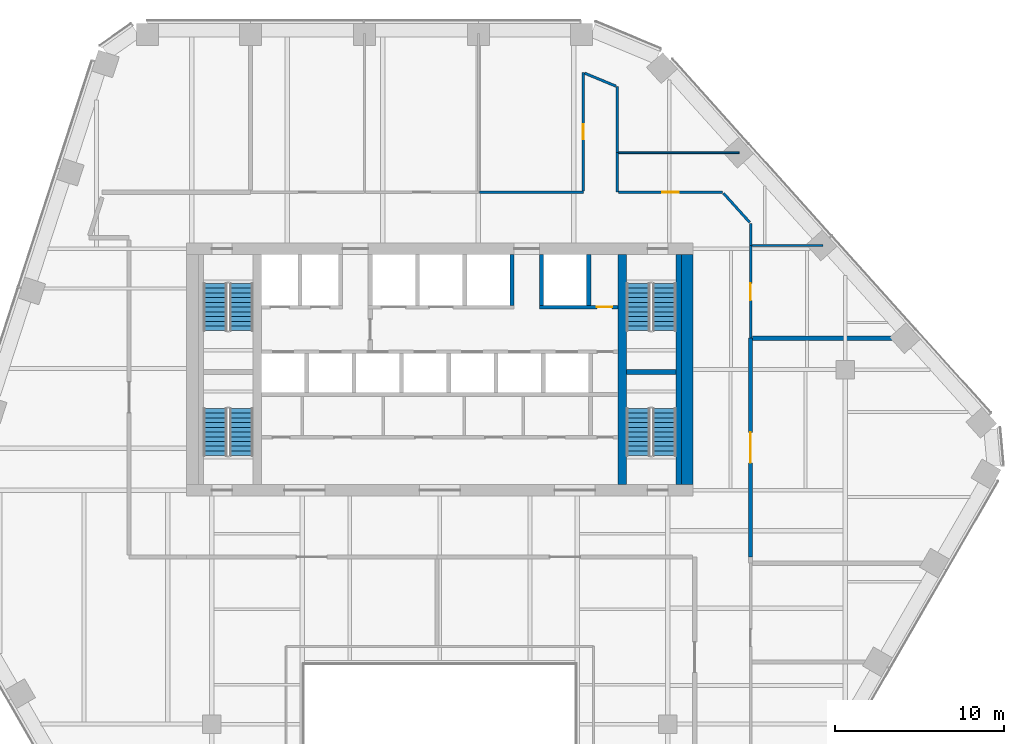
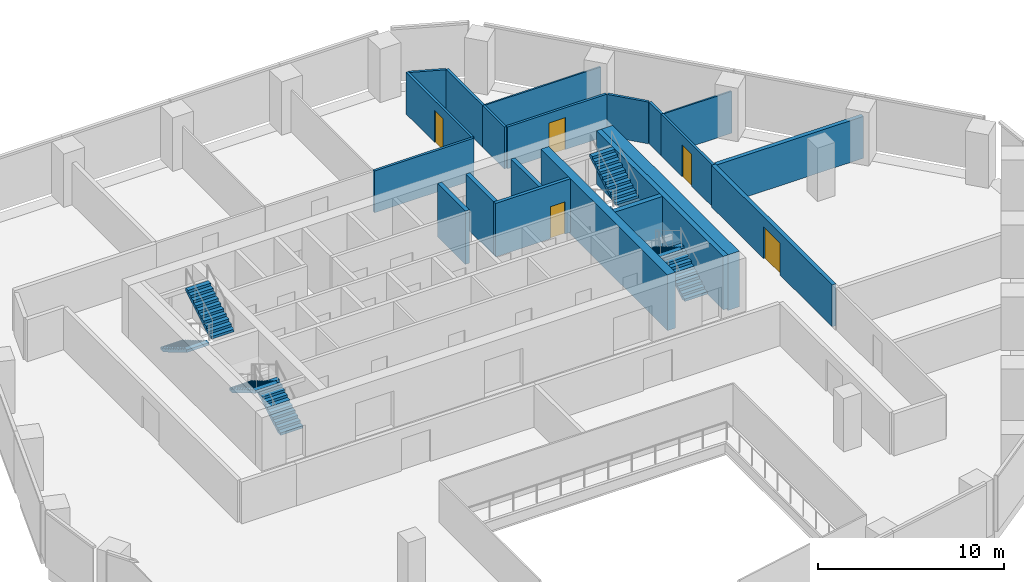
# One storey, part 13 of 16: 21 walls, 8 stair flights, 5 doors, 5 openings, 4 elements without a shape of their own.
"""IFC4 building model written with IfcOpenShell, lengths in metres."""

from ifc_helpers import new_model, si_unit, direction, frame, frame_2d, origin, place, context, subcontext, project, spatial, polyline, rectangle, outline, extrude, material, layer, layer_set, type_object, element, fill, aggregate, save


model = new_model("IFC4")

# Units and contexts
model_context = context("Model", 3, precision=1e-05, world=origin(), true_north=direction((0.0, 1.0)))
body_context = subcontext(model_context, "Body", "Model", "MODEL_VIEW")
ifc_project = project(units=[si_unit("LENGTHUNIT", "METRE"), si_unit("AREAUNIT", "SQUARE_METRE"), si_unit("VOLUMEUNIT", "CUBIC_METRE"), si_unit("PLANEANGLEUNIT", "RADIAN"), si_unit("MASSUNIT", "GRAM", prefix="KILO")], contexts=[model_context])

# Site, building, storey
site_placement = place(None, origin())
site = spatial("IfcSite", under=ifc_project, at=site_placement, CompositionType="ELEMENT")
building_placement = place(site_placement, origin())
building = spatial("IfcBuilding", under=site, at=building_placement, Name="Isthmus Gate Tower", CompositionType="ELEMENT")
storey_placement = place(building_placement, frame((0.0, 0.0, 196.35009765625)))
storey = spatial("IfcBuildingStorey", under=building, at=storey_placement, Name="L49", CompositionType="ELEMENT", Elevation=196.35009765625)

# Wall, opening, door
ifc_material_1 = material(Name="Double-leaf acoustic stud wall, fire-rated", Category="gypsum")
ifc_layer_1 = layer(ifc_material_1, 0.25)
ifc_layer_set_1 = layer_set([ifc_layer_1], Name="ACOUSTIC WALL 250 60 MIN")
wall_type_1 = type_object("IfcWallType", Name="ACOUSTIC WALL 250 60 MIN", PredefinedType="PARTITIONING", material=ifc_layer_set_1)
wall_1_placement = place(storey_placement, frame((18.39990234375, 9.35693359375, 0.0), z_axis=(0.0, 0.0, 1.0), x_axis=(0.0, -1.0, 0.0)))
wall_1 = element("IfcWall", 1, at=wall_1_placement, inside=storey, type_object=wall_type_1, Name="L49 Acoustic Wall 250 60 Min", PredefinedType="PARTITIONING", context=body_context, shape_type="SweptSolid", body=[
    extrude(rectangle(XDim=12.95703125, YDim=0.25, at=frame_2d((6.478515625, 0.0))), origin(), (0.0, 0.0, 1.0), 2.7412109375),
])
opening_1_placement = place(wall_1_placement, frame((5.57861328125, 0.0, 0.0)))
opening_1 = element("IfcOpeningElement", 2, at=opening_1_placement, cuts=wall_1, Name="Opening DT-T4C-08", PredefinedType="OPENING", context=body_context, shape_type="SweptSolid", body=[
    extrude(rectangle(XDim=1.800048828125, YDim=2.10009765625, at=frame_2d((0.89990234375, 1.050048828125))), frame((0.0, 0.135009765625, 0.0), z_axis=(0.0, -1.0, 0.0), x_axis=(1.0, 0.0, 0.0)), (0.0, 0.0, 1.0), 0.27001953125),
])
ifc_material_2 = material(Name="Solid core timber door leaf, fire-rated", Category="wood")
door_type_1 = type_object("IfcDoorType", Name="FIRE DOOR ACOUSTIC ROOM 1800 X 2100 60 MIN", OperationType="DOUBLE_DOOR_DOUBLE_SWING", PredefinedType="DOOR", material=ifc_material_2)
door_1_placement = place(opening_1_placement, origin())
door_1 = element("IfcDoor", 3, at=door_1_placement, inside=storey, type_object=door_type_1, Name="L49 room door", OperationType="DOUBLE_DOOR_DOUBLE_SWING", OverallHeight=2.10009765625, OverallWidth=1.800048828125, PredefinedType="DOOR", context=body_context, shape_type="SweptSolid", body=[
    extrude(rectangle(XDim=1.800048828125, YDim=2.10009765625, at=frame_2d((0.89990234375, 1.050048828125))), frame((0.0, 0.02490234375, 0.0), z_axis=(0.0, -1.0, 0.0), x_axis=(1.0, 0.0, 0.0)), (0.0, 0.0, 1.0), 0.050048828125),
])
fill(opening_1, door_1)

# Walls
wall_2_placement = place(storey_placement, frame((18.52490234375, 9.35693359375, 0.0), z_axis=(0.0, 0.0, 1.0), x_axis=(1.0, 0.0, 0.0)))
element("IfcWall", 4, at=wall_2_placement, inside=storey, type_object=wall_type_1, Name="L49 Acoustic Wall 250 60 Min", PredefinedType="PARTITIONING", context=body_context, shape_type="SweptSolid", body=[
    extrude(rectangle(XDim=9.09716796875, YDim=0.25, at=frame_2d((4.548583984375, 0.0))), origin(), (0.0, 0.0, 1.0), 2.7412109375),
])
ifc_material_3 = material(Name="Gypsum board on steel studs, fire-rated", Category="steel")
ifc_layer_2 = layer(ifc_material_3, 0.14990234375)
ifc_layer_set_2 = layer_set([ifc_layer_2], Name="CORRIDOR WALL 150 60 MIN")
wall_type_2 = type_object("IfcWallType", Name="CORRIDOR WALL 150 60 MIN", PredefinedType="PARTITIONING", material=ifc_layer_set_2)
wall_3_placement = place(storey_placement, frame((10.5, 24.251953125, 0.0), z_axis=(0.0, 0.0, 1.0), x_axis=(0.0, -1.0, 0.0)))
element("IfcWall", 5, at=wall_3_placement, inside=storey, type_object=wall_type_2, Name="L49 Corridor Wall 150 60 Min", PredefinedType="PARTITIONING", context=body_context, shape_type="SweptSolid", body=[
    extrude(rectangle(XDim=3.910888671875, YDim=0.14990234375, at=frame_2d((1.95556640625, 0.0))), origin(), (0.0, 0.0, 1.0), 2.7412109375),
])
wall_4_placement = place(storey_placement, frame((10.5, 20.341064453125, 0.0), z_axis=(0.0, 0.0, 1.0), x_axis=(0.0, -1.0, 0.0)))
element("IfcWall", 6, at=wall_4_placement, inside=storey, type_object=wall_type_2, Name="L49 Corridor Wall 150 60 Min", PredefinedType="PARTITIONING", context=body_context, shape_type="SweptSolid", body=[
    extrude(rectangle(XDim=2.341064453125, YDim=0.14990234375, at=frame_2d((1.17041015625, 0.0))), origin(), (0.0, 0.0, 1.0), 2.7412109375),
])
wall_5_placement = place(storey_placement, frame((18.39990234375, 16.162109375, 0.0), z_axis=(0.0, 0.0, 1.0), x_axis=(0.0, -1.0, 0.0)))
element("IfcWall", 7, at=wall_5_placement, inside=storey, type_object=wall_type_2, Name="L49 Corridor Wall 150 60 Min", PredefinedType="PARTITIONING", context=body_context, shape_type="SweptSolid", body=[
    extrude(rectangle(XDim=1.31298828125, YDim=0.14990234375, at=frame_2d((0.656494140625, 0.0))), origin(), (0.0, 0.0, 1.0), 2.7412109375),
])

# Wall, opening, door
wall_6_placement = place(storey_placement, frame((18.39990234375, 14.84912109375, 0.0), z_axis=(0.0, 0.0, 1.0), x_axis=(0.0, -1.0, 0.0)))
wall_6 = element("IfcWall", 8, at=wall_6_placement, inside=storey, type_object=wall_type_2, Name="L49 Corridor Wall 150 60 Min", PredefinedType="PARTITIONING", context=body_context, shape_type="SweptSolid", body=[
    extrude(rectangle(XDim=5.4921875, YDim=0.14990234375, at=frame_2d((2.74609375, 0.0))), origin(), (0.0, 0.0, 1.0), 2.7412109375),
])
opening_2_placement = place(wall_6_placement, frame((2.24609375, 0.0, 0.0)))
opening_2 = element("IfcOpeningElement", 9, at=opening_2_placement, cuts=wall_6, Name="Opening DT-T4C-05", PredefinedType="OPENING", context=body_context, shape_type="SweptSolid", body=[
    extrude(rectangle(XDim=1.0, YDim=2.10009765625, at=frame_2d((0.5, 1.050048828125))), frame((0.0, 0.0849609375, 0.0), z_axis=(0.0, -1.0, 0.0), x_axis=(1.0, 0.0, 0.0)), (0.0, 0.0, 1.0), 0.169921875),
])
ifc_material_4 = material(Name="Solid core timber door leaf, fire-rated", Category="wood")
door_type_2 = type_object("IfcDoorType", Name="FIRE DOOR ROOM 1000 X 2100 60 MIN", OperationType="SINGLE_SWING_LEFT", PredefinedType="DOOR", material=ifc_material_4)
door_2_placement = place(opening_2_placement, origin())
door_2 = element("IfcDoor", 10, at=door_2_placement, inside=storey, type_object=door_type_2, Name="L49 room door", OperationType="SINGLE_SWING_RIGHT", OverallHeight=2.10009765625, OverallWidth=1.0, PredefinedType="DOOR", context=body_context, shape_type="SweptSolid", body=[
    extrude(rectangle(XDim=1.0, YDim=2.10009765625, at=frame_2d((0.5, 1.050048828125))), frame((0.0, 0.02490234375, 0.0), z_axis=(0.0, -1.0, 0.0), x_axis=(1.0, 0.0, 0.0)), (0.0, 0.0, 1.0), 0.050048828125),
])
fill(opening_2, door_2)

# Wall
wall_7_placement = place(storey_placement, frame((2.337890625, 18.0, 0.0), z_axis=(0.0, 0.0, 1.0), x_axis=(1.0, 0.0, 0.0)))
element("IfcWall", 11, at=wall_7_placement, inside=storey, type_object=wall_type_2, Name="L49 Corridor Wall 150 60 Min", PredefinedType="PARTITIONING", context=body_context, shape_type="SweptSolid", body=[
    extrude(rectangle(XDim=6.162109375, YDim=0.14990234375, at=frame_2d((3.0810546875, 0.0))), origin(), (0.0, 0.0, 1.0), 2.7412109375),
])

# Wall, opening, door
wall_8_placement = place(storey_placement, frame((8.5, 18.074951171875, 0.0), z_axis=(0.0, 0.0, 1.0), x_axis=(0.0, 1.0, 0.0)))
wall_8 = element("IfcWall", 12, at=wall_8_placement, inside=storey, type_object=wall_type_2, Name="L49 Corridor Wall 150 60 Min", PredefinedType="PARTITIONING", context=body_context, shape_type="SweptSolid", body=[
    extrude(rectangle(XDim=7.008056640625, YDim=0.14990234375, at=frame_2d((3.50390625, 0.0))), origin(), (0.0, 0.0, 1.0), 2.7412109375),
])
opening_3_placement = place(wall_8_placement, frame((3.053955078125, 0.0, 0.0)))
opening_3 = element("IfcOpeningElement", 13, at=opening_3_placement, cuts=wall_8, Name="Opening DT-T4C-03", PredefinedType="OPENING", context=body_context, shape_type="SweptSolid", body=[
    extrude(rectangle(XDim=0.89990234375, YDim=2.10009765625, at=frame_2d((0.449951171875, 1.050048828125))), frame((0.0, 0.0849609375, 0.0), z_axis=(0.0, -1.0, 0.0), x_axis=(1.0, 0.0, 0.0)), (0.0, 0.0, 1.0), 0.169921875),
])
ifc_material_5 = material(Name="Solid core timber door leaf, fire-rated", Category="wood")
door_type_3 = type_object("IfcDoorType", Name="FIRE DOOR ROOM 900 X 2100 60 MIN", OperationType="SINGLE_SWING_LEFT", PredefinedType="DOOR", material=ifc_material_5)
door_3_placement = place(opening_3_placement, origin())
door_3 = element("IfcDoor", 14, at=door_3_placement, inside=storey, type_object=door_type_3, Name="L49 room door", OperationType="SINGLE_SWING_RIGHT", OverallHeight=2.10009765625, OverallWidth=0.89990234375, PredefinedType="DOOR", context=body_context, shape_type="SweptSolid", body=[
    extrude(rectangle(XDim=0.89990234375, YDim=2.10009765625, at=frame_2d((0.449951171875, 1.050048828125))), frame((0.0, 0.02490234375, 0.0), z_axis=(0.0, -1.0, 0.0), x_axis=(1.0, 0.0, 0.0)), (0.0, 0.0, 1.0), 0.050048828125),
])
fill(opening_3, door_3)

# Wall
wall_9_placement = place(storey_placement, frame((8.574951171875, 25.0517578125, 0.0), z_axis=(0.0, 0.0, 1.0), x_axis=(0.923468241072, -0.383674872426, 0.0)))
element("IfcWall", 15, at=wall_9_placement, inside=storey, type_object=wall_type_2, Name="L49 Corridor Wall 150 60 Min", PredefinedType="PARTITIONING", context=body_context, shape_type="SweptSolid", body=[
    extrude(rectangle(XDim=2.009521484375, YDim=0.14990234375, at=frame_2d((1.0048828125, 0.0))), origin(), (0.0, 0.0, 1.0), 2.7412109375),
])

# Wall, opening, door
wall_10_placement = place(storey_placement, frame((10.574951171875, 18.0, 0.0), z_axis=(0.0, 0.0, 1.0), x_axis=(1.0, 0.0, 0.0)))
wall_10 = element("IfcWall", 16, at=wall_10_placement, inside=storey, type_object=wall_type_2, Name="L49 Corridor Wall 150 60 Min", PredefinedType="PARTITIONING", context=body_context, shape_type="SweptSolid", body=[
    extrude(rectangle(XDim=6.170166015625, YDim=0.14990234375, at=frame_2d((3.0849609375, 0.0))), origin(), (0.0, 0.0, 1.0), 2.7412109375),
])
opening_4_placement = place(wall_10_placement, frame((2.5849609375, 0.0, 0.0)))
opening_4 = element("IfcOpeningElement", 17, at=opening_4_placement, cuts=wall_10, Name="Opening DT-T4C-04", PredefinedType="OPENING", context=body_context, shape_type="SweptSolid", body=[
    extrude(rectangle(XDim=1.0, YDim=2.10009765625, at=frame_2d((0.5, 1.050048828125))), frame((0.0, 0.0849609375, 0.0), z_axis=(0.0, -1.0, 0.0), x_axis=(1.0, 0.0, 0.0)), (0.0, 0.0, 1.0), 0.169921875),
])
door_4_placement = place(opening_4_placement, origin())
door_4 = element("IfcDoor", 18, at=door_4_placement, inside=storey, type_object=door_type_2, Name="L49 room door", OperationType="SINGLE_SWING_RIGHT", OverallHeight=2.10009765625, OverallWidth=1.0, PredefinedType="DOOR", context=body_context, shape_type="SweptSolid", body=[
    extrude(rectangle(XDim=1.0, YDim=2.10009765625, at=frame_2d((0.5, 1.050048828125))), frame((0.0, 0.02490234375, 0.0), z_axis=(0.0, -1.0, 0.0), x_axis=(1.0, 0.0, 0.0)), (0.0, 0.0, 1.0), 0.050048828125),
])
fill(opening_4, door_4)

# Walls
wall_11_placement = place(storey_placement, frame((16.795166015625, 17.9443359375, 0.0), z_axis=(0.0, 0.0, 1.0), x_axis=(0.669150487814, -0.743126923653, 0.0)))
element("IfcWall", 19, at=wall_11_placement, inside=storey, type_object=wall_type_2, Name="L49 Corridor Wall 150 60 Min", PredefinedType="PARTITIONING", context=body_context, shape_type="SweptSolid", body=[
    extrude(rectangle(XDim=2.323486328125, YDim=0.14990234375, at=frame_2d((1.16162109375, 0.0))), origin(), (0.0, 0.0, 1.0), 2.7412109375),
])
ifc_material_6 = material(Name="Concrete f'c 60 MPa", Category="concrete")
ifc_layer_3 = layer(ifc_material_6, 0.5)
ifc_layer_set_3 = layer_set([ifc_layer_3], Name="RC CORE SPINE WALL 500 F'C 60")
wall_type_3 = type_object("IfcWallType", Name="RC CORE SPINE WALL 500 F'C 60", PredefinedType="SOLIDWALL", material=ifc_layer_set_3)
wall_12_placement = place(storey_placement, frame((10.800048828125, 0.699951171875, -0.150146484375), z_axis=(0.0, 0.0, 1.0), x_axis=(0.0, 1.0, 0.0)))
element("IfcWall", 20, at=wall_12_placement, inside=storey, type_object=wall_type_3, Name="str-corewall-L49-SPE", PredefinedType="SOLIDWALL", context=body_context, shape_type="SweptSolid", body=[
    extrude(rectangle(XDim=13.60009765625, YDim=0.5, at=frame_2d((6.800048828125, 0.0))), origin(), (0.0, 0.0, 1.0), 3.650146484375),
])
ifc_material_7 = material(Name="Concrete f'c 60 MPa", Category="concrete")
ifc_layer_4 = layer(ifc_material_7, 0.699951171875)
ifc_layer_set_4 = layer_set([ifc_layer_4], Name="RC CORE WALL 700 F'C 60")
wall_type_4 = type_object("IfcWallType", Name="RC CORE WALL 700 F'C 60", PredefinedType="SOLIDWALL", material=ifc_layer_set_4)
wall_13_placement = place(storey_placement, frame((14.64990234375, 0.699951171875, -0.150146484375), z_axis=(0.0, 0.0, 1.0), x_axis=(0.0, 1.0, 0.0)))
element("IfcWall", 21, at=wall_13_placement, inside=storey, type_object=wall_type_4, Name="str-corewall-L49-E", PredefinedType="SOLIDWALL", context=body_context, shape_type="SweptSolid", body=[
    extrude(rectangle(XDim=13.60009765625, YDim=0.699951171875, at=frame_2d((6.800048828125, 0.0))), origin(), (0.0, 0.0, 1.0), 3.650146484375),
])
ifc_material_8 = material(Name="Gypsum board on steel studs, fire-rated", Category="steel")
ifc_layer_5 = layer(ifc_material_8, 0.10009765625)
ifc_layer_set_5 = layer_set([ifc_layer_5], Name="ROOM PARTITION 100 30 MIN")
wall_type_5 = type_object("IfcWallType", Name="ROOM PARTITION 100 30 MIN", PredefinedType="PARTITIONING", material=ifc_layer_set_5)
wall_14_placement = place(storey_placement, frame((10.574951171875, 20.341064453125, 0.0), z_axis=(0.0, 0.0, 1.0), x_axis=(1.0, 0.0, 0.0)))
element("IfcWall", 22, at=wall_14_placement, inside=storey, type_object=wall_type_5, Name="L49 Room Partition 100 30 Min", PredefinedType="PARTITIONING", context=body_context, shape_type="SweptSolid", body=[
    extrude(rectangle(XDim=7.156005859375, YDim=0.10009765625, at=frame_2d((3.578125, 0.0))), origin(), (0.0, 0.0, 1.0), 2.7412109375),
])
wall_15_placement = place(storey_placement, frame((18.47509765625, 14.84912109375, 0.0), z_axis=(0.0, 0.0, 1.0), x_axis=(1.0, 0.0, 0.0)))
element("IfcWall", 23, at=wall_15_placement, inside=storey, type_object=wall_type_5, Name="L49 Room Partition 100 30 Min", PredefinedType="PARTITIONING", context=body_context, shape_type="SweptSolid", body=[
    extrude(rectangle(XDim=4.201904296875, YDim=0.10009765625, at=frame_2d((2.10107421875, 0.0))), origin(), (0.0, 0.0, 1.0), 2.7412109375),
])

# Wall, opening, door
ifc_material_9 = material(Name="Fire-rated blockwork masonry, 15 MPa", Category="masonry")
ifc_layer_6 = layer(ifc_material_9, 0.199951171875)
ifc_layer_set_6 = layer_set([ifc_layer_6], Name="SHAFT FRONT WALL 200 120 MIN")
wall_type_6 = type_object("IfcWallType", Name="SHAFT FRONT WALL 200 120 MIN", PredefinedType="PARTITIONING", material=ifc_layer_set_6)
wall_16_placement = place(storey_placement, frame((5.89990234375, 11.199951171875, 0.0), z_axis=(0.0, 0.0, 1.0), x_axis=(1.0, 0.0, 0.0)))
wall_16 = element("IfcWall", 24, at=wall_16_placement, inside=storey, type_object=wall_type_6, Name="L49 SHAFT FRONT WALL 200 120 MIN", PredefinedType="PARTITIONING", context=body_context, shape_type="SweptSolid", body=[
    extrude(rectangle(XDim=4.650146484375, YDim=0.199951171875, at=frame_2d((2.3251953125, 0.0))), origin(), (0.0, 0.0, 1.0), 3.5),
])
opening_5_placement = place(wall_16_placement, frame((3.39990234375, 0.0, 0.0)))
opening_5 = element("IfcOpeningElement", 25, at=opening_5_placement, cuts=wall_16, Name="Opening DC-A12-09", PredefinedType="OPENING", context=body_context, shape_type="SweptSolid", body=[
    extrude(rectangle(XDim=0.89990234375, YDim=2.10009765625, at=frame_2d((0.449951171875, 1.050048828125))), frame((0.0, 0.10986328125, 0.0), z_axis=(0.0, -1.0, 0.0), x_axis=(1.0, 0.0, 0.0)), (0.0, 0.0, 1.0), 0.219970703125),
])
ifc_material_10 = material(Name="Steel door leaf, fire-rated", Category="steel")
door_type_4 = type_object("IfcDoorType", Name="RISER FIRE DOOR 900 X 2100 90 MIN", OperationType="SINGLE_SWING_LEFT", PredefinedType="DOOR", material=ifc_material_10)
door_5_placement = place(opening_5_placement, origin())
door_5 = element("IfcDoor", 26, at=door_5_placement, inside=storey, type_object=door_type_4, Name="Riser Door", OperationType="SINGLE_SWING_LEFT", OverallHeight=2.10009765625, OverallWidth=0.89990234375, PredefinedType="DOOR", context=body_context, shape_type="SweptSolid", body=[
    extrude(rectangle(XDim=0.89990234375, YDim=2.10009765625, at=frame_2d((0.449951171875, 1.050048828125))), frame((0.0, 0.02490234375, 0.0), z_axis=(0.0, -1.0, 0.0), x_axis=(1.0, 0.0, 0.0)), (0.0, 0.0, 1.0), 0.050048828125),
])
fill(opening_5, door_5)

# Walls
ifc_material_11 = material(Name="Fire-rated blockwork masonry, 15 MPa", Category="masonry")
ifc_layer_7 = layer(ifc_material_11, 0.25)
ifc_layer_set_7 = layer_set([ifc_layer_7], Name="SHAFT WALL 250 120 MIN")
wall_type_7 = type_object("IfcWallType", Name="SHAFT WALL 250 120 MIN", PredefinedType="PARTITIONING", material=ifc_layer_set_7)
for number, where, z_axis, x_axis, name in (
    (27, (4.27490234375, 11.300048828125, 0.0), (0.0, 0.0, 1.0), (0.0, 1.0, 0.0), "L49 SHAFT WALL 250 120 MIN"),
    (28, (6.02490234375, 11.300048828125, 0.0), (0.0, 0.0, 1.0), (0.0, 1.0, 0.0), "L49 SHAFT WALL 250 120 MIN"),
    (29, (8.824951171875, 11.300048828125, 0.0), (0.0, 0.0, 1.0), (0.0, 1.0, 0.0), "L49 SHAFT WALL 250 120 MIN"),
):
    element("IfcWall", number, at=place(storey_placement, frame(where, z_axis=z_axis, x_axis=x_axis)), inside=storey, type_object=wall_type_7, Name=name, PredefinedType="PARTITIONING", context=body_context, shape_type="SweptSolid", body=[
        extrude(rectangle(XDim=3.0, YDim=0.25, at=frame_2d((1.5, 0.0))), origin(), (0.0, 0.0, 1.0), 3.5),
    ])
ifc_material_12 = material(Name="Concrete f'c 40 MPa", Category="concrete")
ifc_layer_8 = layer(ifc_material_12, 0.300048828125)
ifc_layer_set_8 = layer_set([ifc_layer_8], Name="STAIR ENCLOSURE WALL 300 180 MIN")
wall_type_8 = type_object("IfcWallType", Name="STAIR ENCLOSURE WALL 300 180 MIN", PredefinedType="SOLIDWALL", material=ifc_layer_set_8)
wall_17_placement = place(storey_placement, frame((11.050048828125, 7.35009765625, 0.0), z_axis=(0.0, 0.0, 1.0), x_axis=(1.0, 0.0, 0.0)))
element("IfcWall", 30, at=wall_17_placement, inside=storey, type_object=wall_type_8, Name="L49 STAIR ENCLOSURE WALL 300 180 MIN", PredefinedType="SOLIDWALL", context=body_context, shape_type="SweptSolid", body=[
    extrude(rectangle(XDim=2.949951171875, YDim=0.300048828125, at=frame_2d((1.47509765625, 0.0))), origin(), (0.0, 0.0, 1.0), 3.5),
])
wall_18_placement = place(storey_placement, frame((14.14990234375, 0.699951171875, 0.0), z_axis=(0.0, 0.0, 1.0), x_axis=(0.0, 1.0, 0.0)))
element("IfcWall", 31, at=wall_18_placement, inside=storey, type_object=wall_type_8, Name="L49 STAIR ENCLOSURE WALL 300 180 MIN", PredefinedType="SOLIDWALL", context=body_context, shape_type="SweptSolid", body=[
    extrude(rectangle(XDim=13.60009765625, YDim=0.300048828125, at=frame_2d((6.800048828125, 0.0))), origin(), (0.0, 0.0, 1.0), 3.5),
])

# Stair, stair flights
ifc_material_13 = material(Name="Concrete f'c 40 MPa", Category="concrete")
stair_type = type_object("IfcStairType", Name="CORE STAIR 22 RISERS", PredefinedType="HALF_TURN_STAIR", material=ifc_material_13)
stair_1_placement = place(storey_placement, origin())
stair_1 = element("IfcStair", 32, at=stair_1_placement, inside=storey, type_object=stair_type, Name="L49 Exit Stair 1", PredefinedType="HALF_TURN_STAIR")
ifc_material_14 = material(Name="Concrete f'c 40 MPa", Category="concrete")
stair_flight_type = type_object("IfcStairFlightType", Name="STAIR FLIGHT RC 1400", PredefinedType="STRAIGHT", material=ifc_material_14)
stair_flight_1_placement = place(storey_placement, frame((-13.300048828125, 12.60009765625, 0.0), z_axis=(0.0, 0.0, 1.0), x_axis=(0.0, -1.0, 0.0)))
stair_flight_1 = element("IfcStairFlight", 33, at=stair_flight_1_placement, type_object=stair_flight_type, Name="ST1 flight 1", NumberOfRisers=11, NumberOfTreads=10, PredefinedType="STRAIGHT", RiserHeight=0.165909091, TreadLength=0.28, context=body_context, shape_type="SweptSolid", body=[
    extrude(outline(polyline([(0.0, 0.0), (0.0, 0.166015625), (0.280029296875, 0.166015625), (0.280029296875, 0.331787109375), (0.56005859375, 0.331787109375), (0.56005859375, 0.497802734375), (0.840087890625, 0.497802734375), (0.840087890625, 0.66357421875), (1.1201171875, 0.66357421875), (1.1201171875, 0.82958984375), (1.39990234375, 0.82958984375), (1.39990234375, 0.995361328125), (1.679931640625, 0.995361328125), (1.679931640625, 1.161376953125), (1.9599609375, 1.161376953125), (1.9599609375, 1.327392578125), (2.239990234375, 1.327392578125), (2.239990234375, 1.4931640625), (2.52001953125, 1.4931640625), (2.52001953125, 1.6591796875), (2.800048828125, 1.6591796875), (2.800048828125, 1.824951171875), (2.800048828125, 1.48486328125), (0.2939453125, 0.0), (0.0, 0.0)])), frame((0.0, 0.699951171875, 0.0), z_axis=(0.0, -1.0, 0.0), x_axis=(1.0, 0.0, 0.0)), (0.0, 0.0, 1.0), 1.39990234375),
])
stair_flight_2_placement = place(storey_placement, frame((-11.75, 9.800048828125, 1.824951171875), z_axis=(0.0, 0.0, 1.0), x_axis=(0.0, 1.0, 0.0)))
stair_flight_2 = element("IfcStairFlight", 34, at=stair_flight_2_placement, type_object=stair_flight_type, Name="ST1 flight 2", NumberOfRisers=11, NumberOfTreads=10, PredefinedType="STRAIGHT", RiserHeight=0.165909091, TreadLength=0.28, context=body_context, shape_type="SweptSolid", body=[
    extrude(outline(polyline([(0.0, 0.0), (0.0, 0.166015625), (0.280029296875, 0.166015625), (0.280029296875, 0.331787109375), (0.56005859375, 0.331787109375), (0.56005859375, 0.497802734375), (0.840087890625, 0.497802734375), (0.840087890625, 0.66357421875), (1.1201171875, 0.66357421875), (1.1201171875, 0.82958984375), (1.39990234375, 0.82958984375), (1.39990234375, 0.995361328125), (1.679931640625, 0.995361328125), (1.679931640625, 1.161376953125), (1.9599609375, 1.161376953125), (1.9599609375, 1.327392578125), (2.239990234375, 1.327392578125), (2.239990234375, 1.4931640625), (2.52001953125, 1.4931640625), (2.52001953125, 1.6591796875), (2.800048828125, 1.6591796875), (2.800048828125, 1.824951171875), (2.800048828125, 1.48486328125), (0.2939453125, 0.0), (0.0, 0.0)])), frame((0.0, 0.699951171875, 0.0), z_axis=(0.0, -1.0, 0.0), x_axis=(1.0, 0.0, 0.0)), (0.0, 0.0, 1.0), 1.39990234375),
])
aggregate(stair_1, [stair_flight_1, stair_flight_2])

stair_2_placement = place(storey_placement, origin())
stair_2 = element("IfcStair", 35, at=stair_2_placement, inside=storey, type_object=stair_type, Name="L49 Exit Stair 2", PredefinedType="HALF_TURN_STAIR")
stair_flight_3_placement = place(storey_placement, frame((11.75, 12.60009765625, 0.0), z_axis=(0.0, 0.0, 1.0), x_axis=(0.0, -1.0, 0.0)))
stair_flight_3 = element("IfcStairFlight", 36, at=stair_flight_3_placement, type_object=stair_flight_type, Name="ST2 flight 1", NumberOfRisers=11, NumberOfTreads=10, PredefinedType="STRAIGHT", RiserHeight=0.165909091, TreadLength=0.28, context=body_context, shape_type="SweptSolid", body=[
    extrude(outline(polyline([(0.0, 0.0), (0.0, 0.166015625), (0.280029296875, 0.166015625), (0.280029296875, 0.331787109375), (0.56005859375, 0.331787109375), (0.56005859375, 0.497802734375), (0.840087890625, 0.497802734375), (0.840087890625, 0.66357421875), (1.1201171875, 0.66357421875), (1.1201171875, 0.82958984375), (1.39990234375, 0.82958984375), (1.39990234375, 0.995361328125), (1.679931640625, 0.995361328125), (1.679931640625, 1.161376953125), (1.9599609375, 1.161376953125), (1.9599609375, 1.327392578125), (2.239990234375, 1.327392578125), (2.239990234375, 1.4931640625), (2.52001953125, 1.4931640625), (2.52001953125, 1.6591796875), (2.800048828125, 1.6591796875), (2.800048828125, 1.824951171875), (2.800048828125, 1.48486328125), (0.2939453125, 0.0), (0.0, 0.0)])), frame((0.0, 0.699951171875, 0.0), z_axis=(0.0, -1.0, 0.0), x_axis=(1.0, 0.0, 0.0)), (0.0, 0.0, 1.0), 1.39990234375),
])
stair_flight_4_placement = place(storey_placement, frame((13.300048828125, 9.800048828125, 1.824951171875), z_axis=(0.0, 0.0, 1.0), x_axis=(0.0, 1.0, 0.0)))
stair_flight_4 = element("IfcStairFlight", 37, at=stair_flight_4_placement, type_object=stair_flight_type, Name="ST2 flight 2", NumberOfRisers=11, NumberOfTreads=10, PredefinedType="STRAIGHT", RiserHeight=0.165909091, TreadLength=0.28, context=body_context, shape_type="SweptSolid", body=[
    extrude(outline(polyline([(0.0, 0.0), (0.0, 0.166015625), (0.280029296875, 0.166015625), (0.280029296875, 0.331787109375), (0.56005859375, 0.331787109375), (0.56005859375, 0.497802734375), (0.840087890625, 0.497802734375), (0.840087890625, 0.66357421875), (1.1201171875, 0.66357421875), (1.1201171875, 0.82958984375), (1.39990234375, 0.82958984375), (1.39990234375, 0.995361328125), (1.679931640625, 0.995361328125), (1.679931640625, 1.161376953125), (1.9599609375, 1.161376953125), (1.9599609375, 1.327392578125), (2.239990234375, 1.327392578125), (2.239990234375, 1.4931640625), (2.52001953125, 1.4931640625), (2.52001953125, 1.6591796875), (2.800048828125, 1.6591796875), (2.800048828125, 1.824951171875), (2.800048828125, 1.48486328125), (0.2939453125, 0.0), (0.0, 0.0)])), frame((0.0, 0.699951171875, 0.0), z_axis=(0.0, -1.0, 0.0), x_axis=(1.0, 0.0, 0.0)), (0.0, 0.0, 1.0), 1.39990234375),
])
aggregate(stair_2, [stair_flight_3, stair_flight_4])

stair_3_placement = place(storey_placement, origin())
stair_3 = element("IfcStair", 38, at=stair_3_placement, inside=storey, type_object=stair_type, Name="L49 Exit Stair 7", PredefinedType="HALF_TURN_STAIR")
stair_flight_5_placement = place(storey_placement, frame((-11.75, 2.39990234375, 0.0), z_axis=(0.0, 0.0, 1.0), x_axis=(0.0, 1.0, 0.0)))
stair_flight_5 = element("IfcStairFlight", 39, at=stair_flight_5_placement, type_object=stair_flight_type, Name="ST7 flight 1", NumberOfRisers=11, NumberOfTreads=10, PredefinedType="STRAIGHT", RiserHeight=0.165909091, TreadLength=0.28, context=body_context, shape_type="SweptSolid", body=[
    extrude(outline(polyline([(0.0, 0.0), (0.0, 0.166015625), (0.280029296875, 0.166015625), (0.280029296875, 0.331787109375), (0.56005859375, 0.331787109375), (0.56005859375, 0.497802734375), (0.840087890625, 0.497802734375), (0.840087890625, 0.66357421875), (1.1201171875, 0.66357421875), (1.1201171875, 0.82958984375), (1.39990234375, 0.82958984375), (1.39990234375, 0.995361328125), (1.679931640625, 0.995361328125), (1.679931640625, 1.161376953125), (1.9599609375, 1.161376953125), (1.9599609375, 1.327392578125), (2.239990234375, 1.327392578125), (2.239990234375, 1.4931640625), (2.52001953125, 1.4931640625), (2.52001953125, 1.6591796875), (2.800048828125, 1.6591796875), (2.800048828125, 1.824951171875), (2.800048828125, 1.48486328125), (0.2939453125, 0.0), (0.0, 0.0)])), frame((0.0, 0.699951171875, 0.0), z_axis=(0.0, -1.0, 0.0), x_axis=(1.0, 0.0, 0.0)), (0.0, 0.0, 1.0), 1.39990234375),
])
stair_flight_6_placement = place(storey_placement, frame((-13.300048828125, 5.199951171875, 1.824951171875), z_axis=(0.0, 0.0, 1.0), x_axis=(0.0, -1.0, 0.0)))
stair_flight_6 = element("IfcStairFlight", 40, at=stair_flight_6_placement, type_object=stair_flight_type, Name="ST7 flight 2", NumberOfRisers=11, NumberOfTreads=10, PredefinedType="STRAIGHT", RiserHeight=0.165909091, TreadLength=0.28, context=body_context, shape_type="SweptSolid", body=[
    extrude(outline(polyline([(0.0, 0.0), (0.0, 0.166015625), (0.280029296875, 0.166015625), (0.280029296875, 0.331787109375), (0.56005859375, 0.331787109375), (0.56005859375, 0.497802734375), (0.840087890625, 0.497802734375), (0.840087890625, 0.66357421875), (1.1201171875, 0.66357421875), (1.1201171875, 0.82958984375), (1.39990234375, 0.82958984375), (1.39990234375, 0.995361328125), (1.679931640625, 0.995361328125), (1.679931640625, 1.161376953125), (1.9599609375, 1.161376953125), (1.9599609375, 1.327392578125), (2.239990234375, 1.327392578125), (2.239990234375, 1.4931640625), (2.52001953125, 1.4931640625), (2.52001953125, 1.6591796875), (2.800048828125, 1.6591796875), (2.800048828125, 1.824951171875), (2.800048828125, 1.48486328125), (0.2939453125, 0.0), (0.0, 0.0)])), frame((0.0, 0.699951171875, 0.0), z_axis=(0.0, -1.0, 0.0), x_axis=(1.0, 0.0, 0.0)), (0.0, 0.0, 1.0), 1.39990234375),
])
aggregate(stair_3, [stair_flight_5, stair_flight_6])

stair_4_placement = place(storey_placement, origin())
stair_4 = element("IfcStair", 41, at=stair_4_placement, inside=storey, type_object=stair_type, Name="L49 Exit Stair 8", PredefinedType="HALF_TURN_STAIR")
stair_flight_7_placement = place(storey_placement, frame((13.300048828125, 2.39990234375, 0.0), z_axis=(0.0, 0.0, 1.0), x_axis=(0.0, 1.0, 0.0)))
stair_flight_7 = element("IfcStairFlight", 42, at=stair_flight_7_placement, type_object=stair_flight_type, Name="ST8 flight 1", NumberOfRisers=11, NumberOfTreads=10, PredefinedType="STRAIGHT", RiserHeight=0.165909091, TreadLength=0.28, context=body_context, shape_type="SweptSolid", body=[
    extrude(outline(polyline([(0.0, 0.0), (0.0, 0.166015625), (0.280029296875, 0.166015625), (0.280029296875, 0.331787109375), (0.56005859375, 0.331787109375), (0.56005859375, 0.497802734375), (0.840087890625, 0.497802734375), (0.840087890625, 0.66357421875), (1.1201171875, 0.66357421875), (1.1201171875, 0.82958984375), (1.39990234375, 0.82958984375), (1.39990234375, 0.995361328125), (1.679931640625, 0.995361328125), (1.679931640625, 1.161376953125), (1.9599609375, 1.161376953125), (1.9599609375, 1.327392578125), (2.239990234375, 1.327392578125), (2.239990234375, 1.4931640625), (2.52001953125, 1.4931640625), (2.52001953125, 1.6591796875), (2.800048828125, 1.6591796875), (2.800048828125, 1.824951171875), (2.800048828125, 1.48486328125), (0.2939453125, 0.0), (0.0, 0.0)])), frame((0.0, 0.699951171875, 0.0), z_axis=(0.0, -1.0, 0.0), x_axis=(1.0, 0.0, 0.0)), (0.0, 0.0, 1.0), 1.39990234375),
])
stair_flight_8_placement = place(storey_placement, frame((11.75, 5.199951171875, 1.824951171875), z_axis=(0.0, 0.0, 1.0), x_axis=(0.0, -1.0, 0.0)))
stair_flight_8 = element("IfcStairFlight", 43, at=stair_flight_8_placement, type_object=stair_flight_type, Name="ST8 flight 2", NumberOfRisers=11, NumberOfTreads=10, PredefinedType="STRAIGHT", RiserHeight=0.165909091, TreadLength=0.28, context=body_context, shape_type="SweptSolid", body=[
    extrude(outline(polyline([(0.0, 0.0), (0.0, 0.166015625), (0.280029296875, 0.166015625), (0.280029296875, 0.331787109375), (0.56005859375, 0.331787109375), (0.56005859375, 0.497802734375), (0.840087890625, 0.497802734375), (0.840087890625, 0.66357421875), (1.1201171875, 0.66357421875), (1.1201171875, 0.82958984375), (1.39990234375, 0.82958984375), (1.39990234375, 0.995361328125), (1.679931640625, 0.995361328125), (1.679931640625, 1.161376953125), (1.9599609375, 1.161376953125), (1.9599609375, 1.327392578125), (2.239990234375, 1.327392578125), (2.239990234375, 1.4931640625), (2.52001953125, 1.4931640625), (2.52001953125, 1.6591796875), (2.800048828125, 1.6591796875), (2.800048828125, 1.824951171875), (2.800048828125, 1.48486328125), (0.2939453125, 0.0), (0.0, 0.0)])), frame((0.0, 0.699951171875, 0.0), z_axis=(0.0, -1.0, 0.0), x_axis=(1.0, 0.0, 0.0)), (0.0, 0.0, 1.0), 1.39990234375),
])
aggregate(stair_4, [stair_flight_7, stair_flight_8])

save(model, "model.ifc")
